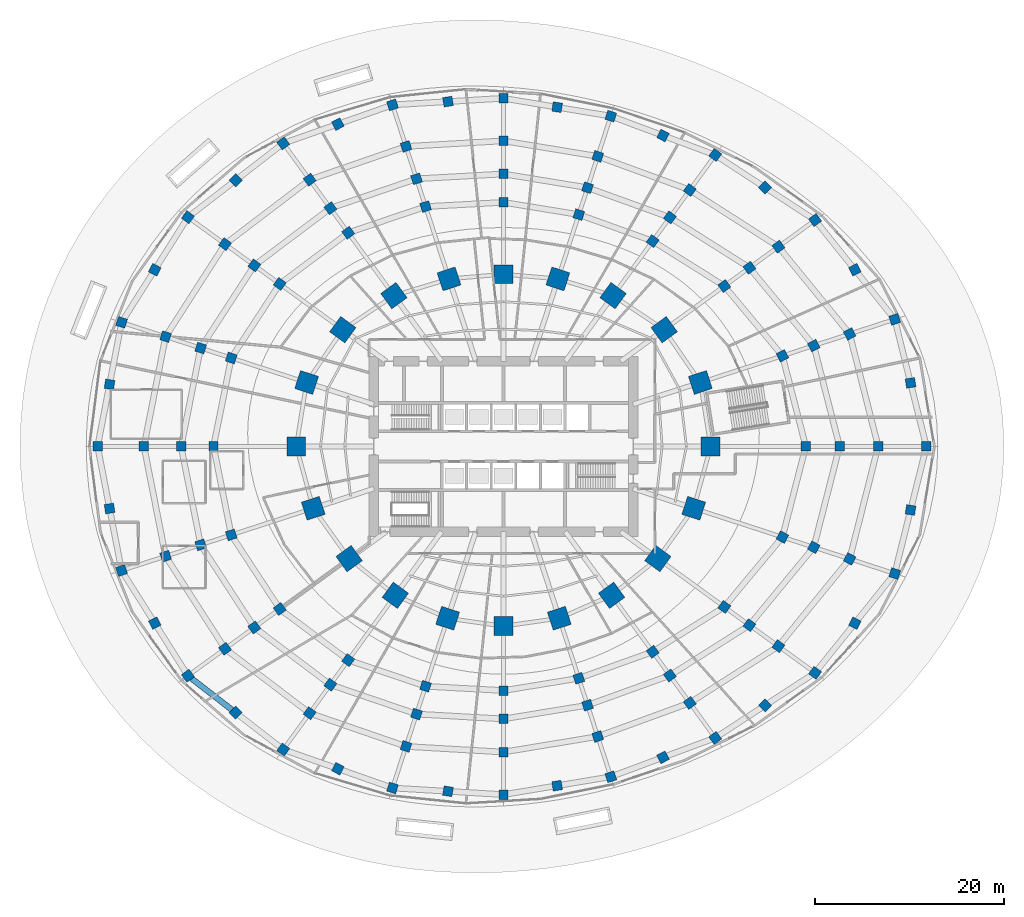
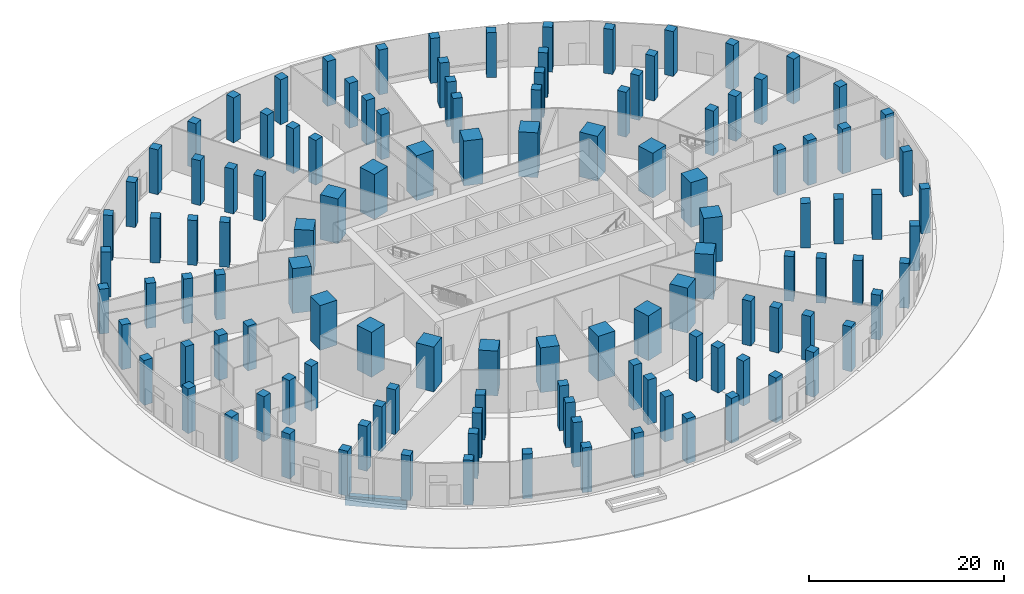
# One storey, part 1 of 23: 120 columns, 1 beam.
"""IFC4 building model written with IfcOpenShell, lengths in metres."""

from ifc_helpers import new_model, si_unit, direction, frame, origin, origin_2d, place, context, subcontext, project, spatial, rectangle, extrude, material, material_profile, profile_set, type_object, element, save


model = new_model("IFC4")

# Units and contexts
model_context = context("Model", 3, precision=1e-05, world=origin(), true_north=direction((0.0, 1.0)))
body_context = subcontext(model_context, "Body", "Model", "MODEL_VIEW")
ifc_project = project(units=[si_unit("LENGTHUNIT", "METRE"), si_unit("AREAUNIT", "SQUARE_METRE"), si_unit("VOLUMEUNIT", "CUBIC_METRE"), si_unit("PLANEANGLEUNIT", "RADIAN"), si_unit("MASSUNIT", "GRAM", prefix="KILO")], contexts=[model_context])

# Site, building, storey
site_placement = place(None, origin())
site = spatial("IfcSite", under=ifc_project, at=site_placement, CompositionType="ELEMENT")
building_placement = place(site_placement, origin())
building = spatial("IfcBuilding", under=site, at=building_placement, Name="Marramba Exchange Tower", CompositionType="ELEMENT")
storey_placement = place(building_placement, origin())
storey = spatial("IfcBuildingStorey", under=building, at=storey_placement, Name="L00", CompositionType="ELEMENT", Elevation=0.0)

# Columns
ifc_material = material(Name="Concrete N50", Category="concrete")
ifc_material_profile_1 = material_profile(ifc_material, rectangle(XDim=2.0, YDim=2.0, at=origin_2d()), Name="RC 2000x2000")
ifc_profile_set_1 = profile_set([ifc_material_profile_1], Name="Concrete N50")
column_type_1 = type_object("IfcColumnType", Name="Perimeter column RC 2000x2000 N50", PredefinedType="COLUMN", material=ifc_profile_set_1)
for number, where, z_axis, x_axis, name in (
    (1, (21.89990234375, 0.0, 0.0), (0.0, 0.0, 1.0), (1.0, 0.0, 0.0), "Column TC01 L00"),
    (2, (20.808349609375, 6.760986328125, 0.0), (0.0, 0.0, 1.0), (0.951056516295, 0.309016994375, 0.0), "Column TC02 L00"),
    (3, (16.98583984375, 12.3408203125, 0.0), (0.0, 0.0, 1.0), (0.809016994375, 0.587785252292, 0.0), "Column TC03 L00"),
    (4, (11.581298828125, 15.9404296875, 0.0), (0.0, 0.0, 1.0), (0.587785252292, 0.809016994375, 0.0), "Column TC04 L00"),
    (5, (5.75390625, 17.70849609375, 0.0), (0.0, 0.0, 1.0), (0.309016994375, 0.951056516295, 0.0), "Column TC05 L00"),
    (6, (0.0, 18.2041015625, 0.0), (0.0, 0.0, 1.0), (0.0, 1.0, 0.0), "Column TC06 L00"),
    (7, (-5.75390625, 17.70849609375, 0.0), (0.0, 0.0, 1.0), (-0.309016994375, 0.951056516295, 0.0), "Column TC07 L00"),
    (8, (-11.581298828125, 15.9404296875, 0.0), (0.0, 0.0, 1.0), (-0.587785252292, 0.809016994375, 0.0), "Column TC08 L00"),
    (9, (-16.98583984375, 12.3408203125, 0.0), (0.0, 0.0, 1.0), (-0.809016994375, 0.587785252292, 0.0), "Column TC09 L00"),
    (10, (-20.808349609375, 6.760986328125, 0.0), (0.0, 0.0, 1.0), (-0.951056516295, 0.309016994375, 0.0), "Column TC10 L00"),
    (11, (-21.89990234375, 0.0, 0.0), (0.0, 0.0, 1.0), (-1.0, 0.0, 0.0), "Column TC11 L00"),
    (12, (-20.109375, -6.533935546875, 0.0), (0.0, 0.0, 1.0), (-0.951056516295, -0.309016994375, 0.0), "Column TC12 L00"),
    (13, (-16.3154296875, -11.853759765625, 0.0), (0.0, 0.0, 1.0), (-0.809016994375, -0.587785252292, 0.0), "Column TC13 L00"),
    (14, (-11.430419921875, -15.732666015625, 0.0), (0.0, 0.0, 1.0), (-0.587785252292, -0.809016994375, 0.0), "Column TC14 L00"),
    (15, (-5.899658203125, -18.156982421875, 0.0), (0.0, 0.0, 1.0), (-0.309016994375, -0.951056516295, 0.0), "Column TC15 L00"),
    (16, (0.0, -18.99609375, 0.0), (0.0, 0.0, 1.0), (0.0, -1.0, 0.0), "Column TC16 L00"),
    (17, (5.899658203125, -18.156982421875, 0.0), (0.0, 0.0, 1.0), (0.309016994375, -0.951056516295, 0.0), "Column TC17 L00"),
    (18, (11.430419921875, -15.732666015625, 0.0), (0.0, 0.0, 1.0), (0.587785252292, -0.809016994375, 0.0), "Column TC18 L00"),
    (19, (16.3154296875, -11.853759765625, 0.0), (0.0, 0.0, 1.0), (0.809016994375, -0.587785252292, 0.0), "Column TC19 L00"),
    (20, (20.109375, -6.533935546875, 0.0), (0.0, 0.0, 1.0), (0.951056516295, -0.309016994375, 0.0), "Column TC20 L00"),
):
    element("IfcColumn", number, at=place(storey_placement, frame(where, z_axis=z_axis, x_axis=x_axis)), inside=storey, type_object=column_type_1, Name=name, PredefinedType="COLUMN", context=body_context, shape_type="SweptSolid", body=[
        extrude(rectangle(XDim=2.0, YDim=2.0, at=origin_2d()), origin(), (0.0, 0.0, 1.0), 5.60009765625),
    ])
ifc_material_profile_2 = material_profile(ifc_material, rectangle(XDim=1.0, YDim=1.0, at=origin_2d()), Name="RC 1000x1000")
ifc_profile_set_2 = profile_set([ifc_material_profile_2], Name="Concrete N50")
column_type_2 = type_object("IfcColumnType", Name="Podium column RC 1000x1000 N50", PredefinedType="COLUMN", material=ifc_profile_set_2)
for number, where, z_axis, x_axis, name in (
    (21, (44.699951171875, 0.0, 0.0), (0.0, 0.0, 1.0), (1.0, 0.0, 0.0), "Column P0C01 L00"),
    (22, (43.025390625, 6.7177734375, 0.0), (0.0, 0.0, 1.0), (0.987688340595, 0.15643446504, 0.0), "Column P0M01 L00"),
    (23, (41.350830078125, 13.435791015625, 0.0), (0.0, 0.0, 1.0), (0.951056516295, 0.309016994375, 0.0), "Column P0C02 L00"),
    (24, (37.140625, 18.680419921875, 0.0), (0.0, 0.0, 1.0), (0.891006524188, 0.45399049974, 0.0), "Column P0M02 L00"),
    (25, (32.93017578125, 23.92529296875, 0.0), (0.0, 0.0, 1.0), (0.809016994375, 0.587785252292, 0.0), "Column P0C03 L00"),
    (26, (27.655029296875, 27.364013671875, 0.0), (0.0, 0.0, 1.0), (0.707106781187, 0.707106781187, 0.0), "Column P0M03 L00"),
    (27, (22.379638671875, 30.802978515625, 0.0), (0.0, 0.0, 1.0), (0.587785252292, 0.809016994375, 0.0), "Column P0C04 L00"),
    (28, (16.861572265625, 32.857177734375, 0.0), (0.0, 0.0, 1.0), (0.45399049974, 0.891006524188, 0.0), "Column P0M04 L00"),
    (29, (11.343505859375, 34.911376953125, 0.0), (0.0, 0.0, 1.0), (0.309016994375, 0.951056516295, 0.0), "Column P0C05 L00"),
    (30, (5.671630859375, 35.855712890625, 0.0), (0.0, 0.0, 1.0), (0.15643446504, 0.987688340595, 0.0), "Column P0M05 L00"),
    (31, (0.0, 36.800048828125, 0.0), (0.0, 0.0, 1.0), (0.0, 1.0, 0.0), "Column P0C06 L00"),
    (32, (-5.8642578125, 36.44873046875, 0.0), (0.0, 0.0, 1.0), (-0.15643446504, 0.987688340595, 0.0), "Column P0M06 L00"),
    (33, (-11.728759765625, 36.097412109375, 0.0), (0.0, 0.0, 1.0), (-0.309016994375, 0.951056516295, 0.0), "Column P0C07 L00"),
    (34, (-17.501708984375, 34.066162109375, 0.0), (0.0, 0.0, 1.0), (-0.45399049974, 0.891006524188, 0.0), "Column P0M07 L00"),
    (35, (-23.27490234375, 32.03515625, 0.0), (0.0, 0.0, 1.0), (-0.587785252292, 0.809016994375, 0.0), "Column P0C08 L00"),
    (36, (-28.3134765625, 28.13330078125, 0.0), (0.0, 0.0, 1.0), (-0.707106781187, 0.707106781187, 0.0), "Column P0M08 L00"),
    (37, (-33.35205078125, 24.231689453125, 0.0), (0.0, 0.0, 1.0), (-0.809016994375, 0.587785252292, 0.0), "Column P0C09 L00"),
    (38, (-36.857666015625, 18.67333984375, 0.0), (0.0, 0.0, 1.0), (-0.891006524188, 0.45399049974, 0.0), "Column P0M09 L00"),
    (39, (-40.36328125, 13.11474609375, 0.0), (0.0, 0.0, 1.0), (-0.951056516295, 0.309016994375, 0.0), "Column P0C10 L00"),
    (40, (-41.631591796875, 6.557373046875, 0.0), (0.0, 0.0, 1.0), (-0.987688340595, 0.15643446504, 0.0), "Column P0M10 L00"),
    (41, (-42.89990234375, 0.0, 0.0), (0.0, 0.0, 1.0), (-1.0, 0.0, 0.0), "Column P0C11 L00"),
    (42, (-41.631591796875, -6.557373046875, 0.0), (0.0, 0.0, 1.0), (-0.987688340595, -0.15643446504, 0.0), "Column P0M11 L00"),
    (43, (-40.36328125, -13.11474609375, 0.0), (0.0, 0.0, 1.0), (-0.951056516295, -0.309016994375, 0.0), "Column P0C12 L00"),
    (44, (-36.857666015625, -18.67333984375, 0.0), (0.0, 0.0, 1.0), (-0.891006524188, -0.45399049974, 0.0), "Column P0M12 L00"),
    (45, (-33.35205078125, -24.231689453125, 0.0), (0.0, 0.0, 1.0), (-0.809016994375, -0.587785252292, 0.0), "Column P0C13 L00"),
    (46, (-28.3134765625, -28.13330078125, 0.0), (0.0, 0.0, 1.0), (-0.707106781187, -0.707106781187, 0.0), "Column P0M13 L00"),
    (47, (-23.27490234375, -32.03515625, 0.0), (0.0, 0.0, 1.0), (-0.587785252292, -0.809016994375, 0.0), "Column P0C14 L00"),
    (48, (-17.501708984375, -34.066162109375, 0.0), (0.0, 0.0, 1.0), (-0.45399049974, -0.891006524188, 0.0), "Column P0M14 L00"),
    (49, (-11.728759765625, -36.097412109375, 0.0), (0.0, 0.0, 1.0), (-0.309016994375, -0.951056516295, 0.0), "Column P0C15 L00"),
    (50, (-5.8642578125, -36.44873046875, 0.0), (0.0, 0.0, 1.0), (-0.15643446504, -0.987688340595, 0.0), "Column P0M15 L00"),
    (51, (0.0, -36.800048828125, 0.0), (0.0, 0.0, 1.0), (0.0, -1.0, 0.0), "Column P0C16 L00"),
    (52, (5.671630859375, -35.855712890625, 0.0), (0.0, 0.0, 1.0), (0.15643446504, -0.987688340595, 0.0), "Column P0M16 L00"),
    (53, (11.343505859375, -34.911376953125, 0.0), (0.0, 0.0, 1.0), (0.309016994375, -0.951056516295, 0.0), "Column P0C17 L00"),
    (54, (16.861572265625, -32.857177734375, 0.0), (0.0, 0.0, 1.0), (0.45399049974, -0.891006524188, 0.0), "Column P0M17 L00"),
    (55, (22.379638671875, -30.802978515625, 0.0), (0.0, 0.0, 1.0), (0.587785252292, -0.809016994375, 0.0), "Column P0C18 L00"),
    (56, (27.655029296875, -27.364013671875, 0.0), (0.0, 0.0, 1.0), (0.707106781187, -0.707106781187, 0.0), "Column P0M18 L00"),
    (57, (32.93017578125, -23.92529296875, 0.0), (0.0, 0.0, 1.0), (0.809016994375, -0.587785252292, 0.0), "Column P0C19 L00"),
    (58, (37.140625, -18.680419921875, 0.0), (0.0, 0.0, 1.0), (0.891006524188, -0.45399049974, 0.0), "Column P0M19 L00"),
    (59, (41.350830078125, -13.435791015625, 0.0), (0.0, 0.0, 1.0), (0.951056516295, -0.309016994375, 0.0), "Column P0C20 L00"),
    (60, (43.025390625, -6.7177734375, 0.0), (0.0, 0.0, 1.0), (0.987688340595, -0.15643446504, 0.0), "Column P0M20 L00"),
    (61, (39.60009765625, 0.0, 0.0), (0.0, 0.0, 1.0), (1.0, 0.0, 0.0), "Column P1C01 L00"),
    (62, (36.5888671875, 11.888427734375, 0.0), (0.0, 0.0, 1.0), (0.88715868706, 0.461464477479, 0.0), "Column P1C02 L00"),
    (63, (29.057373046875, 21.111328125, 0.0), (0.0, 0.0, 1.0), (0.809016994375, 0.587785252292, 0.0), "Column P1C03 L00"),
    (64, (19.691650390625, 27.103271484375, 0.0), (0.0, 0.0, 1.0), (0.587785252292, 0.809016994375, 0.0), "Column P1C04 L00"),
    (65, (9.962158203125, 30.66015625, 0.0), (0.0, 0.0, 1.0), (0.309016994375, 0.951056516295, 0.0), "Column P1C05 L00"),
    (66, (0.0, 32.300048828125, 0.0), (0.0, 0.0, 1.0), (0.0, 1.0, 0.0), "Column P1C06 L00"),
    (67, (-10.302001953125, 31.706298828125, 0.0), (0.0, 0.0, 1.0), (-0.309016994375, 0.951056516295, 0.0), "Column P1C07 L00"),
    (68, (-20.482666015625, 28.19189453125, 0.0), (0.0, 0.0, 1.0), (-0.587785252292, 0.809016994375, 0.0), "Column P1C08 L00"),
    (69, (-29.430908203125, 21.3828125, 0.0), (0.0, 0.0, 1.0), (-0.809016994375, 0.587785252292, 0.0), "Column P1C09 L00"),
    (70, (-35.712158203125, 11.603515625, 0.0), (0.0, 0.0, 1.0), (-0.951056516295, 0.309016994375, 0.0), "Column P1C10 L00"),
    (71, (-38.0, 0.0, 0.0), (0.0, 0.0, 1.0), (-1.0, 0.0, 0.0), "Column P1C11 L00"),
    (72, (-35.712158203125, -11.603515625, 0.0), (0.0, 0.0, 1.0), (-0.951056516295, -0.309016994375, 0.0), "Column P1C12 L00"),
    (73, (-29.430908203125, -21.3828125, 0.0), (0.0, 0.0, 1.0), (-0.809016994375, -0.587785252292, 0.0), "Column P1C13 L00"),
    (74, (-20.482666015625, -28.19189453125, 0.0), (0.0, 0.0, 1.0), (-0.587785252292, -0.809016994375, 0.0), "Column P1C14 L00"),
    (75, (-10.302001953125, -31.706298828125, 0.0), (0.0, 0.0, 1.0), (-0.309016994375, -0.951056516295, 0.0), "Column P1C15 L00"),
    (76, (0.0, -32.300048828125, 0.0), (0.0, 0.0, 1.0), (0.0, -1.0, 0.0), "Column P1C16 L00"),
    (77, (9.962158203125, -30.66015625, 0.0), (0.0, 0.0, 1.0), (0.309016994375, -0.951056516295, 0.0), "Column P1C17 L00"),
    (78, (19.691650390625, -27.103271484375, 0.0), (0.0, 0.0, 1.0), (0.587785252292, -0.809016994375, 0.0), "Column P1C18 L00"),
    (79, (29.057373046875, -21.111328125, 0.0), (0.0, 0.0, 1.0), (0.809016994375, -0.587785252292, 0.0), "Column P1C19 L00"),
    (80, (36.5888671875, -11.888427734375, 0.0), (0.0, 0.0, 1.0), (0.88715868706, -0.461464477479, 0.0), "Column P1C20 L00"),
    (81, (35.52001953125, 0.0, 0.0), (0.0, 0.0, 1.0), (1.0, 0.0, 0.0), "Column P2C01 L00"),
    (82, (32.793701171875, 10.6552734375, 0.0), (0.0, 0.0, 1.0), (0.885353211435, 0.46491901553, 0.0), "Column P2C02 L00"),
    (83, (25.99658203125, 18.8876953125, 0.0), (0.0, 0.0, 1.0), (0.809016994375, 0.587785252292, 0.0), "Column P2C03 L00"),
    (84, (17.585205078125, 24.203857421875, 0.0), (0.0, 0.0, 1.0), (0.587785252292, 0.809016994375, 0.0), "Column P2C04 L00"),
    (85, (8.8857421875, 27.347412109375, 0.0), (0.0, 0.0, 1.0), (0.309016994375, 0.951056516295, 0.0), "Column P2C05 L00"),
    (86, (0.0, 28.800048828125, 0.0), (0.0, 0.0, 1.0), (0.0, 1.0, 0.0), "Column P2C06 L00"),
    (87, (-9.190185546875, 28.28466796875, 0.0), (0.0, 0.0, 1.0), (-0.309016994375, 0.951056516295, 0.0), "Column P2C07 L00"),
    (88, (-18.29443359375, 25.18017578125, 0.0), (0.0, 0.0, 1.0), (-0.587785252292, 0.809016994375, 0.0), "Column P2C08 L00"),
    (89, (-26.33203125, 19.13134765625, 0.0), (0.0, 0.0, 1.0), (-0.809016994375, 0.587785252292, 0.0), "Column P2C09 L00"),
    (90, (-32.005126953125, 10.399169921875, 0.0), (0.0, 0.0, 1.0), (-0.951056516295, 0.309016994375, 0.0), "Column P2C10 L00"),
    (91, (-34.080078125, 0.0, 0.0), (0.0, 0.0, 1.0), (-1.0, 0.0, 0.0), "Column P2C11 L00"),
    (92, (-32.005126953125, -10.399169921875, 0.0), (0.0, 0.0, 1.0), (-0.951056516295, -0.309016994375, 0.0), "Column P2C12 L00"),
    (93, (-26.33203125, -19.13134765625, 0.0), (0.0, 0.0, 1.0), (-0.809016994375, -0.587785252292, 0.0), "Column P2C13 L00"),
    (94, (-18.29443359375, -25.18017578125, 0.0), (0.0, 0.0, 1.0), (-0.587785252292, -0.809016994375, 0.0), "Column P2C14 L00"),
    (95, (-9.190185546875, -28.28466796875, 0.0), (0.0, 0.0, 1.0), (-0.309016994375, -0.951056516295, 0.0), "Column P2C15 L00"),
    (96, (0.0, -28.800048828125, 0.0), (0.0, 0.0, 1.0), (0.0, -1.0, 0.0), "Column P2C16 L00"),
    (97, (8.8857421875, -27.347412109375, 0.0), (0.0, 0.0, 1.0), (0.309016994375, -0.951056516295, 0.0), "Column P2C17 L00"),
    (98, (17.585205078125, -24.203857421875, 0.0), (0.0, 0.0, 1.0), (0.587785252292, -0.809016994375, 0.0), "Column P2C18 L00"),
    (99, (25.99658203125, -18.8876953125, 0.0), (0.0, 0.0, 1.0), (0.809016994375, -0.587785252292, 0.0), "Column P2C19 L00"),
    (100, (32.793701171875, -10.6552734375, 0.0), (0.0, 0.0, 1.0), (0.885353211435, -0.46491901553, 0.0), "Column P2C20 L00"),
    (101, (31.949951171875, 0.0, 0.0), (0.0, 0.0, 1.0), (1.0, 0.0, 0.0), "Column P3C01 L00"),
    (102, (29.48193359375, 9.579345703125, 0.0), (0.0, 0.0, 1.0), (0.884188111274, 0.467131013616, 0.0), "Column P3C02 L00"),
    (103, (23.34228515625, 16.959228515625, 0.0), (0.0, 0.0, 1.0), (0.809016994375, 0.587785252292, 0.0), "Column P3C03 L00"),
    (104, (15.769775390625, 21.705078125, 0.0), (0.0, 0.0, 1.0), (0.587785252292, 0.809016994375, 0.0), "Column P3C04 L00"),
    (105, (7.9619140625, 24.50390625, 0.0), (0.0, 0.0, 1.0), (0.309016994375, 0.951056516295, 0.0), "Column P3C05 L00"),
    (106, (0.0, 25.800048828125, 0.0), (0.0, 0.0, 1.0), (0.0, 1.0, 0.0), "Column P3C06 L00"),
    (107, (-8.23583984375, 25.347412109375, 0.0), (0.0, 0.0, 1.0), (-0.309016994375, 0.951056516295, 0.0), "Column P3C07 L00"),
    (108, (-16.40869140625, 22.58447265625, 0.0), (0.0, 0.0, 1.0), (-0.587785252292, 0.809016994375, 0.0), "Column P3C08 L00"),
    (109, (-23.644775390625, 17.178955078125, 0.0), (0.0, 0.0, 1.0), (-0.809016994375, 0.587785252292, 0.0), "Column P3C09 L00"),
    (110, (-28.770263671875, 9.34814453125, 0.0), (0.0, 0.0, 1.0), (-0.951056516295, 0.309016994375, 0.0), "Column P3C10 L00"),
    (111, (-30.64990234375, 0.0, 0.0), (0.0, 0.0, 1.0), (-1.0, 0.0, 0.0), "Column P3C11 L00"),
    (112, (-28.770263671875, -9.34814453125, 0.0), (0.0, 0.0, 1.0), (-0.951056516295, -0.309016994375, 0.0), "Column P3C12 L00"),
    (113, (-23.644775390625, -17.178955078125, 0.0), (0.0, 0.0, 1.0), (-0.809016994375, -0.587785252292, 0.0), "Column P3C13 L00"),
    (114, (-16.40869140625, -22.58447265625, 0.0), (0.0, 0.0, 1.0), (-0.587785252292, -0.809016994375, 0.0), "Column P3C14 L00"),
    (115, (-8.23583984375, -25.347412109375, 0.0), (0.0, 0.0, 1.0), (-0.309016994375, -0.951056516295, 0.0), "Column P3C15 L00"),
    (116, (0.0, -25.800048828125, 0.0), (0.0, 0.0, 1.0), (0.0, -1.0, 0.0), "Column P3C16 L00"),
    (117, (7.9619140625, -24.50390625, 0.0), (0.0, 0.0, 1.0), (0.309016994375, -0.951056516295, 0.0), "Column P3C17 L00"),
    (118, (15.769775390625, -21.705078125, 0.0), (0.0, 0.0, 1.0), (0.587785252292, -0.809016994375, 0.0), "Column P3C18 L00"),
    (119, (23.34228515625, -16.959228515625, 0.0), (0.0, 0.0, 1.0), (0.809016994375, -0.587785252292, 0.0), "Column P3C19 L00"),
    (120, (29.48193359375, -9.579345703125, 0.0), (0.0, 0.0, 1.0), (0.884188111274, -0.467131013616, 0.0), "Column P3C20 L00"),
):
    element("IfcColumn", number, at=place(storey_placement, frame(where, z_axis=z_axis, x_axis=x_axis)), inside=storey, type_object=column_type_2, Name=name, PredefinedType="COLUMN", context=body_context, shape_type="SweptSolid", body=[
        extrude(rectangle(XDim=1.0, YDim=1.0, at=origin_2d()), origin(), (0.0, 0.0, 1.0), 5.60009765625),
    ])

# Beam
ifc_material_profile_3 = material_profile(ifc_material, rectangle(XDim=0.60009765625, YDim=1.199951171875, at=origin_2d()), Name="RC 600x1200")
ifc_profile_set_3 = profile_set([ifc_material_profile_3], Name="Concrete N50")
beam_type = type_object("IfcBeamType", Name="Edge beam RC 600x1200 N50", PredefinedType="SPANDREL", material=ifc_profile_set_3)
beam_placement = place(storey_placement, frame((-33.35205078125, -24.231689453125, -0.800048828125), z_axis=(0.790664479988, -0.612249687697, 0.0), x_axis=(0.612249687697, 0.790664479988, 0.0)))
element("IfcBeam", 121, at=beam_placement, inside=storey, type_object=beam_type, Name="Edge beam L00 P0C13 half 1", PredefinedType="SPANDREL", context=body_context, shape_type="SweptSolid", body=[
    extrude(rectangle(XDim=0.60009765625, YDim=1.199951171875, at=origin_2d()), origin(), (0.0, 0.0, 1.0), 6.37255859375),
])

save(model, "model.ifc")
